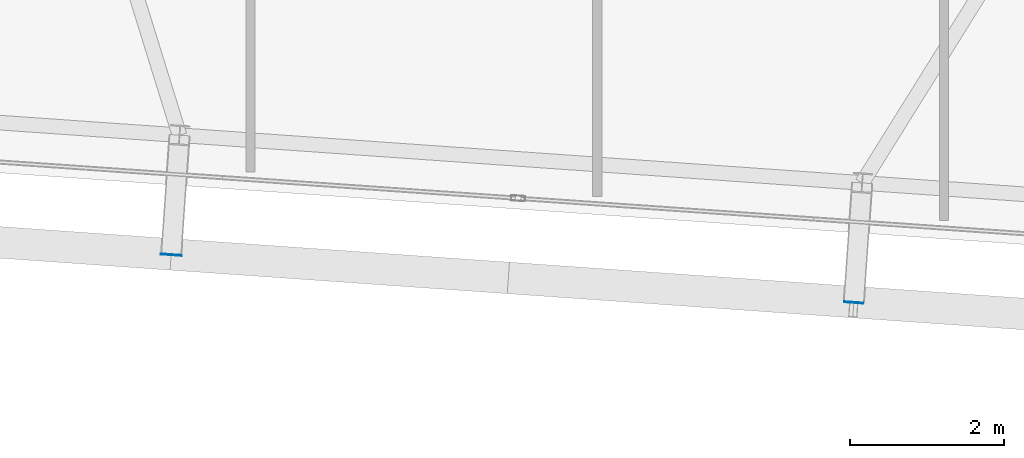
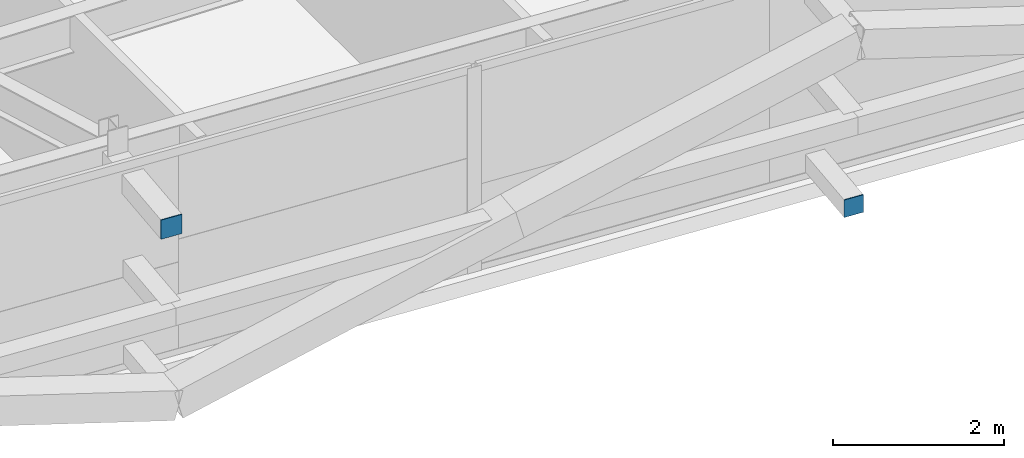
# One storey, part 28 of 39: 2 plates.
"""IFC4 building model written with IfcOpenShell, lengths in metres."""

from ifc_helpers import new_model, si_unit, direction, frame, origin, origin_2d, place, context, subcontext, project, spatial, rectangle, extrude, source, transform, mapped, material, layer, layer_set, type_object, element, save


model = new_model("IFC4")

# Units and contexts
model_context = context("Model", 3, precision=1e-05, world=origin(), true_north=direction((0.0, 1.0)))
body_context = subcontext(model_context, "Body", "Model", "MODEL_VIEW")
ifc_project = project(units=[si_unit("LENGTHUNIT", "METRE"), si_unit("AREAUNIT", "SQUARE_METRE"), si_unit("VOLUMEUNIT", "CUBIC_METRE"), si_unit("PLANEANGLEUNIT", "RADIAN"), si_unit("MASSUNIT", "GRAM", prefix="KILO")], contexts=[model_context])

# Site, building, storey
site_placement = place(None, origin())
site = spatial("IfcSite", under=ifc_project, at=site_placement, CompositionType="ELEMENT")
building_placement = place(site_placement, origin())
building = spatial("IfcBuilding", under=site, at=building_placement, Name="Taldren Reach Tower", CompositionType="ELEMENT")
storey_placement = place(building_placement, frame((0.0, 0.0, 158.199951171875)))
storey = spatial("IfcBuildingStorey", under=building, at=storey_placement, Name="L48", CompositionType="ELEMENT", Elevation=158.199951171875)

# Plates
ifc_material_1 = material(Name="Steel Gr 450 (C450L0)", Category="steel")
ifc_layer_1 = layer(ifc_material_1, 0.011962890625)
ifc_layer_set_1 = layer_set([ifc_layer_1], Name="Steel Gr 450 (C450L0)")
plate_type_1 = type_object("IfcPlateType", Name="PL-CAP-275", PredefinedType="SHEET", material=ifc_layer_set_1)
shared_shape_1 = source(origin(), body_context, "Body", "SweptSolid", [
    extrude(rectangle(XDim=0.27490234375, YDim=0.011962890625, at=origin_2d()), origin(), (0.0, 0.0, 1.0), 0.27490234375),
])
plate_1_placement = place(storey_placement, frame((29.4716796875, 2.54736328125, 2.5126953125), z_axis=(0.0, 0.0, 1.0), x_axis=(0.99756405026, -0.069756473744, 0.0)))
element("IfcPlate", 1, at=plate_1_placement, inside=storey, type_object=plate_type_1, Name="Tie strut end cap plate B3-S3 L48", PredefinedType="SHEET", context=body_context, shape_type="MappedRepresentation", body=[
    mapped(shared_shape_1, transform((0.0, 0.0, 0.0), scale=1.0)),
])
ifc_material_2 = material(Name="Steel Gr 350 (C350L0)", Category="steel")
ifc_layer_2 = layer(ifc_material_2, 0.011962890625)
ifc_layer_set_2 = layer_set([ifc_layer_2], Name="Steel Gr 350 (C350L0)")
plate_type_2 = type_object("IfcPlateType", Name="PL-CAP-250", PredefinedType="SHEET", material=ifc_layer_set_2)
shared_shape_2 = source(origin(), body_context, "Body", "SweptSolid", [
    extrude(rectangle(XDim=0.25, YDim=0.011962890625, at=origin_2d()), origin(), (0.0, 0.0, 1.0), 0.25),
])
plate_2_placement = place(storey_placement, frame((38.330078125, 1.927978515625, 0.094970703125), z_axis=(0.0, 0.0, 1.0), x_axis=(0.99756405026, -0.069756473744, 0.0)))
element("IfcPlate", 2, at=plate_2_placement, inside=storey, type_object=plate_type_2, Name="Tie strut end cap plate B3-S4 L48", PredefinedType="SHEET", context=body_context, shape_type="MappedRepresentation", body=[
    mapped(shared_shape_2, transform((0.0, 0.0, 0.0), scale=1.0)),
])

save(model, "model.ifc")
